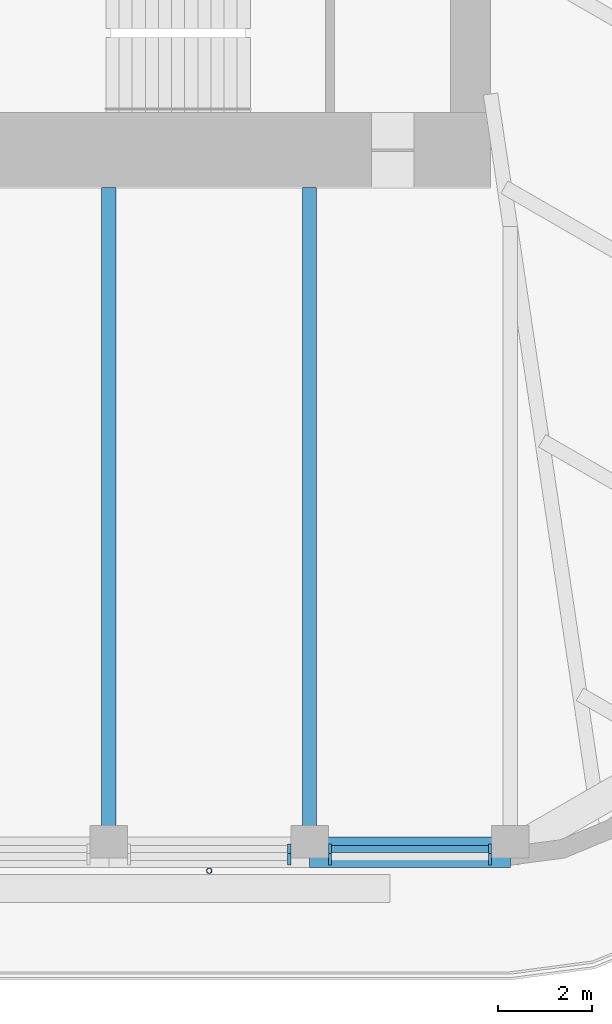
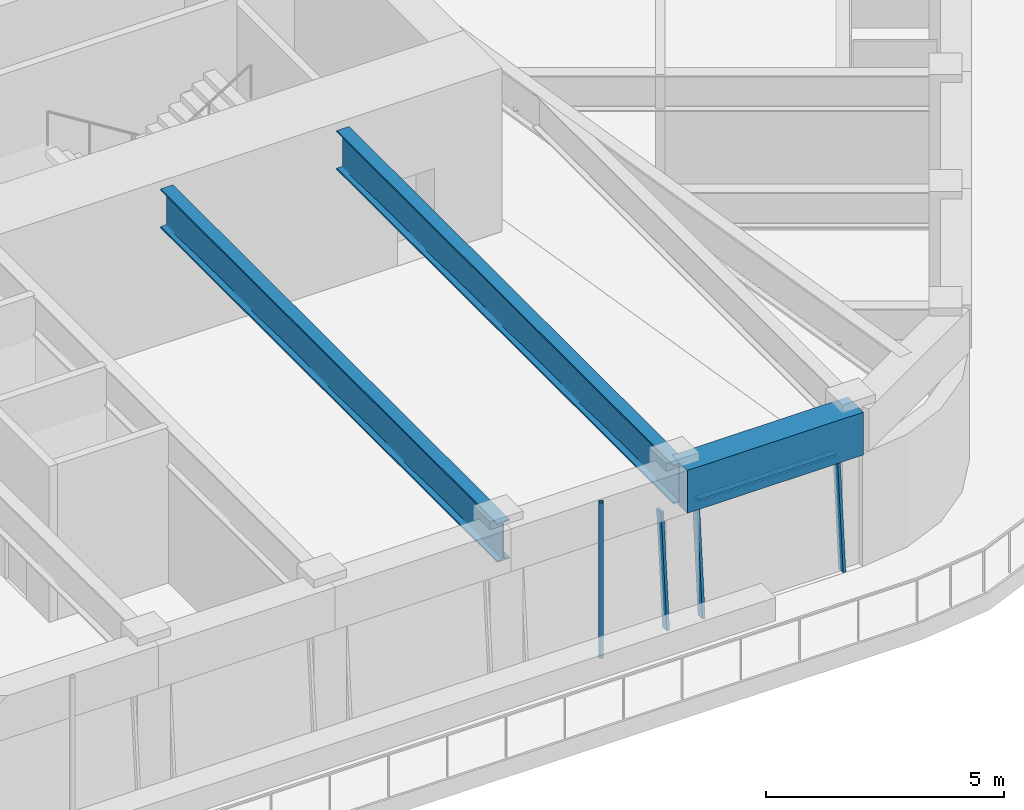
# One storey, part 4 of 19: 5 members, 3 beams, 2 elements without a shape of their own.
"""IFC4 building model written with IfcOpenShell, lengths in metres."""

from ifc_helpers import new_model, si_unit, direction, frame, origin, origin_2d, place, context, subcontext, project, spatial, rectangle, hollow_circle, i_section, extrude, material, material_profile, profile_set, type_object, element, aggregate, save


model = new_model("IFC4")

# Units and contexts
model_context = context("Model", 3, precision=1e-05, world=origin(), true_north=direction((0.0, 1.0)))
body_context = subcontext(model_context, "Body", "Model", "MODEL_VIEW")
ifc_project = project(units=[si_unit("LENGTHUNIT", "METRE"), si_unit("AREAUNIT", "SQUARE_METRE"), si_unit("VOLUMEUNIT", "CUBIC_METRE"), si_unit("PLANEANGLEUNIT", "RADIAN"), si_unit("MASSUNIT", "GRAM", prefix="KILO")], contexts=[model_context])

# Site, building, storey
site_placement = place(None, origin())
site = spatial("IfcSite", under=ifc_project, at=site_placement, CompositionType="ELEMENT")
building_placement = place(site_placement, origin())
building = spatial("IfcBuilding", under=site, at=building_placement, Name="Tarfa Lantern Tower", CompositionType="ELEMENT")
storey_placement = place(building_placement, frame((0.0, 0.0, 374.5)))
storey = spatial("IfcBuildingStorey", under=building, at=storey_placement, Name="L85", CompositionType="ELEMENT", Elevation=374.5)

# Curtain wall, member
ifc_material_1 = material(Name="Aluminium framed curtain wall", Category="aluminium")
curtain_wall_type = type_object("IfcCurtainWallType", Name="CW4 CANTED GLAZING EXECUTIVE ZONE 2900", PredefinedType="USERDEFINED", material=ifc_material_1)
curtain_wall_1_placement = place(storey_placement, origin())
curtain_wall_1 = element("IfcCurtainWall", 1, at=curtain_wall_1_placement, inside=storey, type_object=curtain_wall_type, Name="CW4 S L85", ObjectType="CURTAIN WALL", PredefinedType="USERDEFINED")
ifc_material_2 = material(Name="Aluminium mullion", Category="aluminium")
ifc_material_profile_1 = material_profile(ifc_material_2, rectangle(XDim=0.06494140625, YDim=0.199951171875, at=origin_2d()), Name="AL MULLION 65x200")
ifc_profile_set_1 = profile_set([ifc_material_profile_1], Name="Aluminium mullion")
member_type_1 = type_object("IfcMemberType", Name="CWM1 MULLION 65x200", PredefinedType="MULLION", material=ifc_profile_set_1)
member_1_placement = place(storey_placement, frame((8.131591796875, -26.64990234375, 0.0), z_axis=(0.0, 0.085891213166, 0.99630452147), x_axis=(-1.0, 0.0, 0.0)))
member_1 = element("IfcMember", 2, at=member_1_placement, type_object=member_type_1, Name="CW4 mullion 2", PredefinedType="MULLION", context=body_context, shape_type="SweptSolid", body=[
    extrude(rectangle(XDim=0.06494140625, YDim=0.199951171875, at=origin_2d()), origin(), (0.0, 0.0, 1.0), 2.91064453125),
])
aggregate(curtain_wall_1, [member_1])

# Curtain wall, members
curtain_wall_2_placement = place(storey_placement, origin())
curtain_wall_2 = element("IfcCurtainWall", 3, at=curtain_wall_2_placement, inside=storey, type_object=curtain_wall_type, Name="CW4 S L85", ObjectType="CURTAIN WALL", PredefinedType="USERDEFINED")
member_2_placement = place(storey_placement, frame((8.99658203125, -26.64990234375, 0.0), z_axis=(0.0, 0.085891213166, 0.99630452147), x_axis=(-1.0, 0.0, 0.0)))
member_2 = element("IfcMember", 4, at=member_2_placement, type_object=member_type_1, Name="CW4 mullion 1", PredefinedType="MULLION", context=body_context, shape_type="SweptSolid", body=[
    extrude(rectangle(XDim=0.06494140625, YDim=0.199951171875, at=origin_2d()), origin(), (0.0, 0.0, 1.0), 2.91064453125),
])
member_3_placement = place(storey_placement, frame((12.41357421875, -26.64990234375, 0.0), z_axis=(0.0, 0.085891213166, 0.99630452147), x_axis=(-1.0, 0.0, 0.0)))
member_3 = element("IfcMember", 5, at=member_3_placement, type_object=member_type_1, Name="CW4 mullion 2", PredefinedType="MULLION", context=body_context, shape_type="SweptSolid", body=[
    extrude(rectangle(XDim=0.06494140625, YDim=0.199951171875, at=origin_2d()), origin(), (0.0, 0.0, 1.0), 2.91064453125),
])
ifc_material_3 = material(Name="Aluminium transom", Category="aluminium")
ifc_material_profile_2 = material_profile(ifc_material_3, rectangle(XDim=0.14990234375, YDim=0.06494140625, at=origin_2d()), Name="AL TRANSOM 150x65")
ifc_profile_set_2 = profile_set([ifc_material_profile_2], Name="Aluminium transom")
member_type_2 = type_object("IfcMemberType", Name="CWT1 TRANSOM 150x65", PredefinedType="USERDEFINED", material=ifc_profile_set_2)
member_4_placement = place(storey_placement, frame((9.029052734375, -26.40283203125, 2.867431640625), z_axis=(1.0, 0.0, 0.0), x_axis=(0.0, 1.0, 0.0)))
member_4 = element("IfcMember", 6, at=member_4_placement, type_object=member_type_2, Name="CW4 transom 1.2", ObjectType="TRANSOM", PredefinedType="USERDEFINED", context=body_context, shape_type="SweptSolid", body=[
    extrude(rectangle(XDim=0.14990234375, YDim=0.06494140625, at=origin_2d()), origin(), (0.0, 0.0, 1.0), 3.35205078125),
])
aggregate(curtain_wall_2, [member_2, member_3, member_4])

# Beam
ifc_material_4 = material(Name="Concrete C80/95", Category="concrete")
ifc_material_profile_3 = material_profile(ifc_material_4, rectangle(XDim=0.64990234375, YDim=1.10009765625, at=origin_2d()), Name="RC 650x1100")
ifc_profile_set_3 = profile_set([ifc_material_profile_3], Name="Concrete C80/95")
beam_type_1 = type_object("IfcBeamType", Name="EB4 RC 650x1100", PredefinedType="SPANDREL", material=ifc_profile_set_3)
beam_placement = place(storey_placement, frame((8.56396484375, -26.469970703125, 3.449951171875), z_axis=(1.0, 0.0, 0.0), x_axis=(0.0, 1.0, 0.0)))
element("IfcBeam", 7, at=beam_placement, inside=storey, type_object=beam_type_1, Name="Edge beam S5", PredefinedType="SPANDREL", context=body_context, shape_type="SweptSolid", body=[
    extrude(rectangle(XDim=0.64990234375, YDim=1.10009765625, at=origin_2d()), origin(), (0.0, 0.0, 1.0), 4.281982421875),
])

# Member
ifc_material_5 = material(Name="Steel S355", Category="steel")
ifc_material_profile_4 = material_profile(ifc_material_5, hollow_circle(Radius=0.05712890625, WallThickness=0.00634765625, at=origin_2d()), Name="CHS114.3x6.3")
ifc_profile_set_4 = profile_set([ifc_material_profile_4], Name="Steel S355")
member_type_3 = type_object("IfcMemberType", Name="TR1 GREEN WALL TRELLIS CHS114.3x6.3", PredefinedType="USERDEFINED", material=ifc_profile_set_4)
member_5_placement = place(storey_placement, frame((6.423095703125, -26.8701171875, 0.0), z_axis=(0.0, 0.0, 1.0), x_axis=(1.0, 0.0, 0.0)))
element("IfcMember", 8, at=member_5_placement, inside=storey, type_object=member_type_3, Name="Trellis post S 2", ObjectType="TRELLIS", PredefinedType="USERDEFINED", context=body_context, shape_type="SweptSolid", body=[
    extrude(hollow_circle(Radius=0.05712890625, WallThickness=0.00634765625, at=origin_2d()), origin(), (0.0, 0.0, 1.0), 4.0),
])

# Beams
ifc_material_6 = material(Name="Steel S460M", Category="steel")
ifc_material_profile_5 = material_profile(ifc_material_6, i_section(OverallWidth=0.302001953125, OverallDepth=1.008056640625, WebThickness=0.02099609375, FlangeThickness=0.0400390625, FilletRadius=0.030029296875, at=origin_2d()), Name="UB1016x305x349")
ifc_profile_set_5 = profile_set([ifc_material_profile_5], Name="Steel S460M")
beam_type_2 = type_object("IfcBeamType", Name="UB1016x305x349", PredefinedType="BEAM", material=ifc_profile_set_5)
for number, where, z_axis, x_axis, name in (
    (9, (4.281982421875, -26.469970703125, 3.495849609375), (0.0, 1.0, 0.0), (-1.0, 0.0, 0.0), "Floor beam S4"),
    (10, (8.56396484375, -26.469970703125, 3.495849609375), (0.0, 1.0, 0.0), (-1.0, 0.0, 0.0), "Floor beam S5"),
):
    element("IfcBeam", number, at=place(storey_placement, frame(where, z_axis=z_axis, x_axis=x_axis)), inside=storey, type_object=beam_type_2, Name=name, PredefinedType="BEAM", context=body_context, shape_type="SweptSolid", body=[
        extrude(i_section(OverallWidth=0.302001953125, OverallDepth=1.008056640625, WebThickness=0.02099609375, FlangeThickness=0.0400390625, FilletRadius=0.030029296875, at=origin_2d()), origin(), (0.0, 0.0, 1.0), 14.169921875),
    ])

save(model, "model.ifc")
